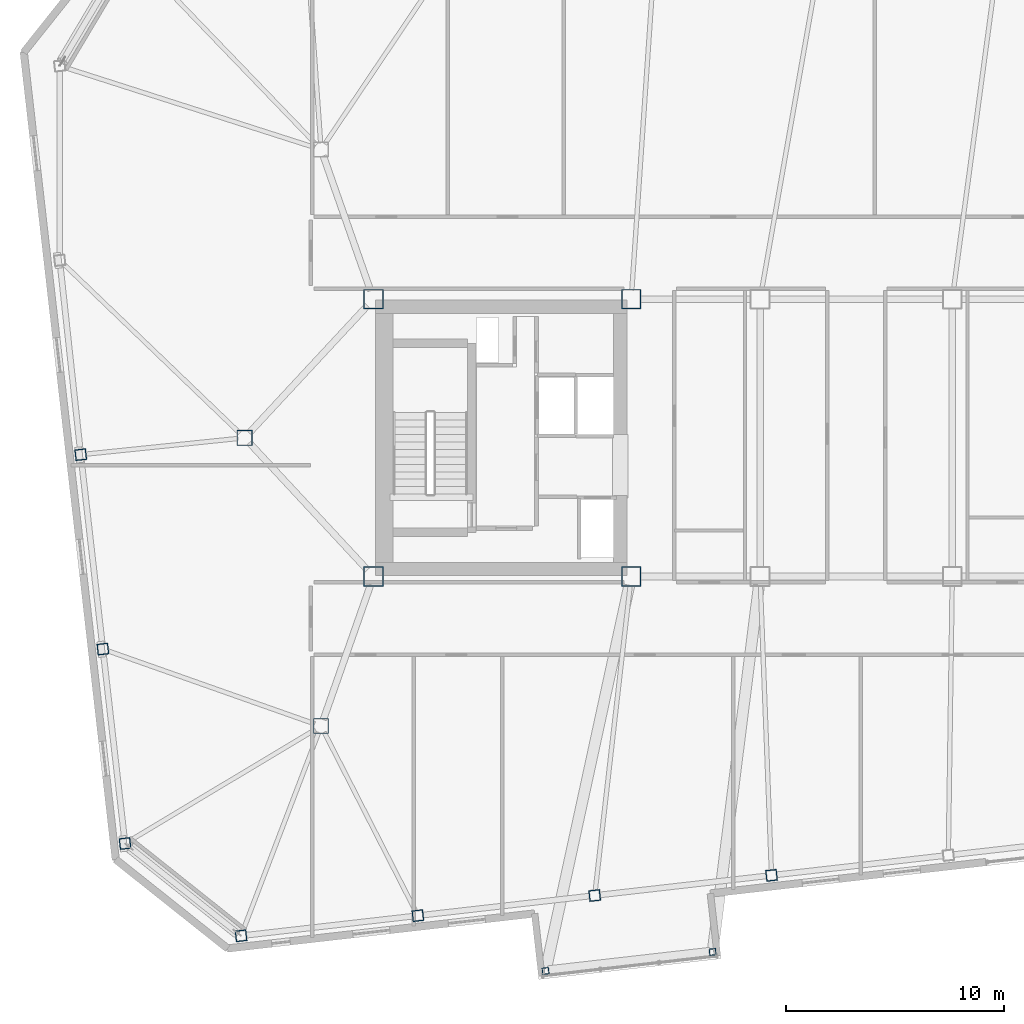
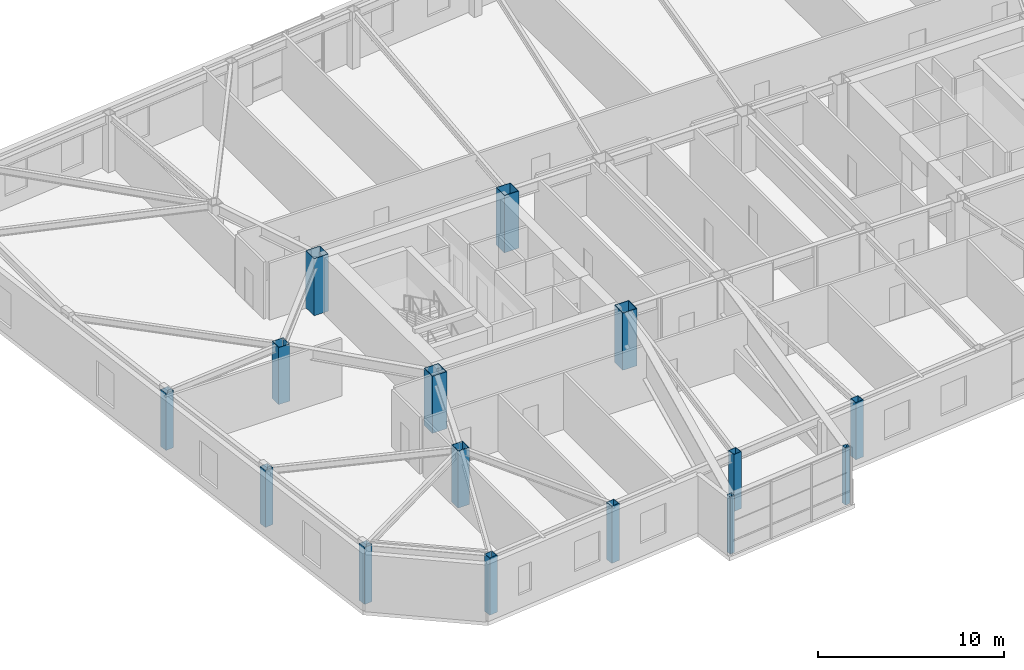
# One storey, part 1 of 19: 15 columns.
"""IFC4 building model written with IfcOpenShell, lengths in metres."""

from ifc_helpers import new_model, si_unit, direction, frame, origin, origin_2d, place, context, subcontext, project, spatial, hollow_rectangle, extrude, material, material_profile, profile_set, type_object, element, save


model = new_model("IFC4")

# Units and contexts
model_context = context("Model", 3, precision=1e-05, world=origin(), true_north=direction((0.0, 1.0)))
body_context = subcontext(model_context, "Body", "Model", "MODEL_VIEW")
ifc_project = project(units=[si_unit("LENGTHUNIT", "METRE"), si_unit("AREAUNIT", "SQUARE_METRE"), si_unit("VOLUMEUNIT", "CUBIC_METRE"), si_unit("PLANEANGLEUNIT", "RADIAN"), si_unit("MASSUNIT", "GRAM", prefix="KILO")], contexts=[model_context])

# Site, building, storey
site_placement = place(None, origin())
site = spatial("IfcSite", under=ifc_project, at=site_placement, CompositionType="ELEMENT")
building_placement = place(site_placement, origin())
building = spatial("IfcBuilding", under=site, at=building_placement, Name="Tavrogorsk Clinical Tower", CompositionType="ELEMENT")
storey_placement = place(building_placement, frame((0.0, 0.0, 218.199951171875)))
storey = spatial("IfcBuildingStorey", under=building, at=storey_placement, Name="L50", CompositionType="ELEMENT", Elevation=218.199951171875)

# Columns
ifc_material_1 = material(Name="Structural steel S390", Category="steel")
ifc_material_profile_1 = material_profile(ifc_material_1, hollow_rectangle(XDim=0.300048828125, YDim=0.300048828125, WallThickness=0.01611328125, at=origin_2d()), Name="SHS-300x300x16")
ifc_profile_set_1 = profile_set([ifc_material_profile_1], Name="Structural steel S390")
column_type_1 = type_object("IfcColumnType", Name="DayroomCol_SHS300", PredefinedType="COLUMN", material=ifc_profile_set_1)
for number, where, z_axis, x_axis, name in (
    (1, (-14.22265625, -24.41455078125, 0.0), (0.0, 0.0, 1.0), (0.993571855677, 0.113203213768, 0.0), "L50 Day-Room Box Column DRB-07-L"),
    (2, (-6.572021484375, -23.54296875, 0.0), (0.0, 0.0, 1.0), (0.993571855677, 0.113203213768, 0.0), "L50 Day-Room Box Column DRB-07-R"),
):
    element("IfcColumn", number, at=place(storey_placement, frame(where, z_axis=z_axis, x_axis=x_axis)), inside=storey, type_object=column_type_1, Name=name, PredefinedType="COLUMN", context=body_context, shape_type="SweptSolid", body=[
        extrude(hollow_rectangle(XDim=0.300048828125, YDim=0.300048828125, WallThickness=0.01611328125, at=origin_2d()), origin(), (0.0, 0.0, 1.0), 3.739990234375),
    ])
ifc_material_2 = material(Name="Structural steel S440", Category="steel")
ifc_material_profile_2 = material_profile(ifc_material_2, hollow_rectangle(XDim=0.699951171875, YDim=0.699951171875, WallThickness=0.031982421875, at=origin_2d()), Name="BOX-700x700x32")
ifc_profile_set_2 = profile_set([ifc_material_profile_2], Name="Structural steel S440")
column_type_2 = type_object("IfcColumnType", Name="MegaCol_BOX700", PredefinedType="COLUMN", material=ifc_profile_set_2)
for number, where, z_axis, x_axis, name in (
    (3, (-24.5, -13.199951171875, 0.0), (0.0, 0.0, 1.0), (1.0, 0.0, 0.0), "L50 Spine Pilotis Column MC-P1"),
    (4, (-28.0, 0.0, 0.0), (0.0, 0.0, 1.0), (1.0, 0.0, 0.0), "L50 Spine Pilotis Column MC-P5"),
):
    element("IfcColumn", number, at=place(storey_placement, frame(where, z_axis=z_axis, x_axis=x_axis)), inside=storey, type_object=column_type_2, Name=name, PredefinedType="COLUMN", context=body_context, shape_type="SweptSolid", body=[
        extrude(hollow_rectangle(XDim=0.699951171875, YDim=0.699951171875, WallThickness=0.031982421875, at=origin_2d()), origin(), (0.0, 0.0, 1.0), 3.739990234375),
    ])
ifc_material_3 = material(Name="Structural steel S440", Category="steel")
ifc_material_profile_3 = material_profile(ifc_material_3, hollow_rectangle(XDim=0.89990234375, YDim=0.89990234375, WallThickness=0.0400390625, at=origin_2d()), Name="BOX-900x900x40")
ifc_profile_set_3 = profile_set([ifc_material_profile_3], Name="Structural steel S440")
column_type_3 = type_object("IfcColumnType", Name="MegaCol_BOX900", PredefinedType="COLUMN", material=ifc_profile_set_3)
for number, where, z_axis, x_axis, name in (
    (5, (-22.10009765625, -6.35009765625, 0.0), (0.0, 0.0, 1.0), (1.0, 0.0, 0.0), "L50 Mega Column MC-W1"),
    (6, (-22.10009765625, 6.35009765625, 0.0), (0.0, 0.0, 1.0), (1.0, 0.0, 0.0), "L50 Mega Column MC-W2"),
    (7, (-10.300048828125, -6.35009765625, 0.0), (0.0, 0.0, 1.0), (1.0, 0.0, 0.0), "L50 Mega Column MC-W3"),
    (8, (-10.300048828125, 6.35009765625, 0.0), (0.0, 0.0, 1.0), (1.0, 0.0, 0.0), "L50 Mega Column MC-W4"),
):
    element("IfcColumn", number, at=place(storey_placement, frame(where, z_axis=z_axis, x_axis=x_axis)), inside=storey, type_object=column_type_3, Name=name, PredefinedType="COLUMN", context=body_context, shape_type="SweptSolid", body=[
        extrude(hollow_rectangle(XDim=0.89990234375, YDim=0.89990234375, WallThickness=0.0400390625, at=origin_2d()), origin(), (0.0, 0.0, 1.0), 3.739990234375),
    ])
ifc_material_4 = material(Name="Structural steel S440", Category="steel")
ifc_material_profile_4 = material_profile(ifc_material_4, hollow_rectangle(XDim=0.5, YDim=0.5, WallThickness=0.02490234375, at=origin_2d()), Name="BOX-500x500x25")
ifc_profile_set_4 = profile_set([ifc_material_profile_4], Name="Structural steel S440")
column_type_4 = type_object("IfcColumnType", Name="PerimCol_B4_BOX500", PredefinedType="COLUMN", material=ifc_profile_set_4)
for number, where, z_axis, x_axis, name in (
    (9, (-28.164794921875, -22.802490234375, 0.0), (0.0, 0.0, 1.0), (0.993571855677, 0.113203213768, 0.0), "L50 Perimeter Column S1"),
    (10, (-20.068603515625, -21.880126953125, 0.0), (0.0, 0.0, 1.0), (0.993571855677, 0.113203213768, 0.0), "L50 Perimeter Column S2"),
    (11, (-11.972412109375, -20.95751953125, 0.0), (0.0, 0.0, 1.0), (0.993571855677, 0.113203213768, 0.0), "L50 Perimeter Column S3"),
    (12, (-3.876220703125, -20.03515625, 0.0), (0.0, 0.0, 1.0), (0.993571855677, 0.113203213768, 0.0), "L50 Perimeter Column S4"),
    (13, (-35.505859375, -0.77197265625, 0.0), (0.0, 0.0, 1.0), (0.993571855677, 0.113203213768, 0.0), "L50 Perimeter Column W3"),
    (14, (-34.491455078125, -9.67431640625, 0.0), (0.0, 0.0, 1.0), (0.993571855677, 0.113203213768, 0.0), "L50 Perimeter Column W4"),
    (15, (-33.477294921875, -18.57666015625, 0.0), (0.0, 0.0, 1.0), (0.993571855677, 0.113203213768, 0.0), "L50 Perimeter Column W5"),
):
    element("IfcColumn", number, at=place(storey_placement, frame(where, z_axis=z_axis, x_axis=x_axis)), inside=storey, type_object=column_type_4, Name=name, PredefinedType="COLUMN", context=body_context, shape_type="SweptSolid", body=[
        extrude(hollow_rectangle(XDim=0.5, YDim=0.5, WallThickness=0.02490234375, at=origin_2d()), origin(), (0.0, 0.0, 1.0), 3.739990234375),
    ])

save(model, "model.ifc")
